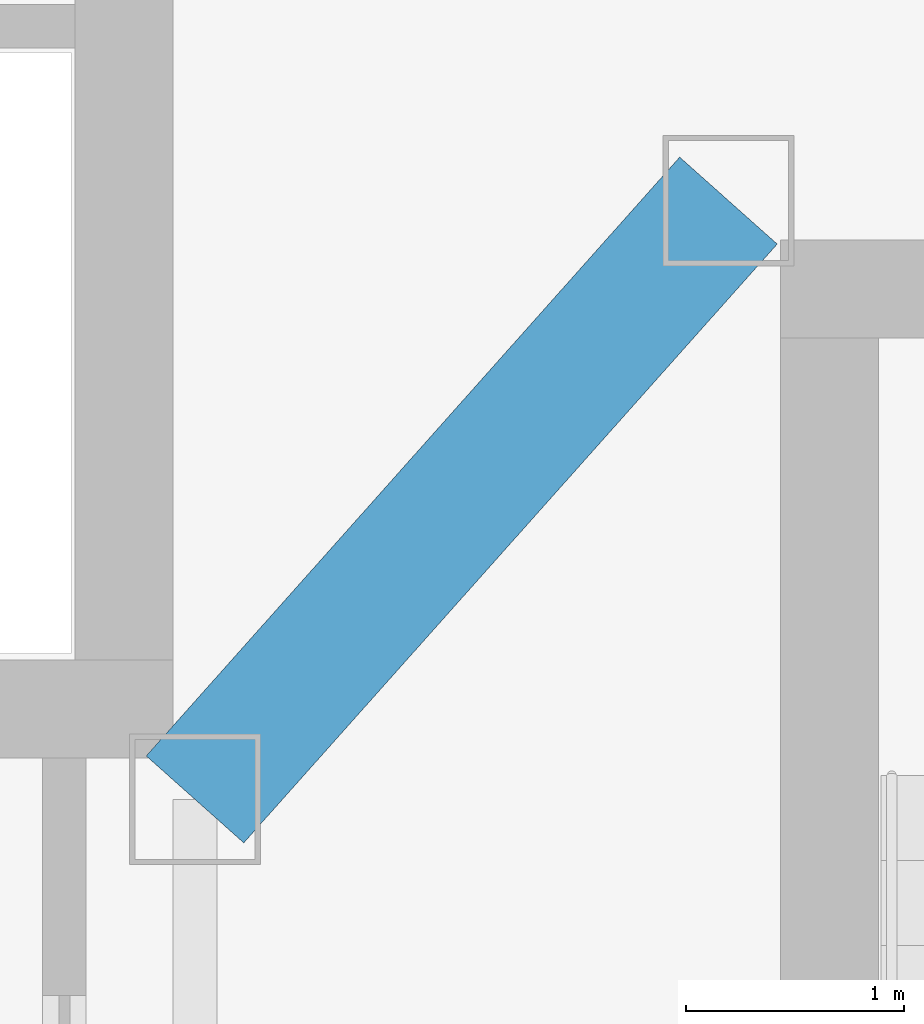
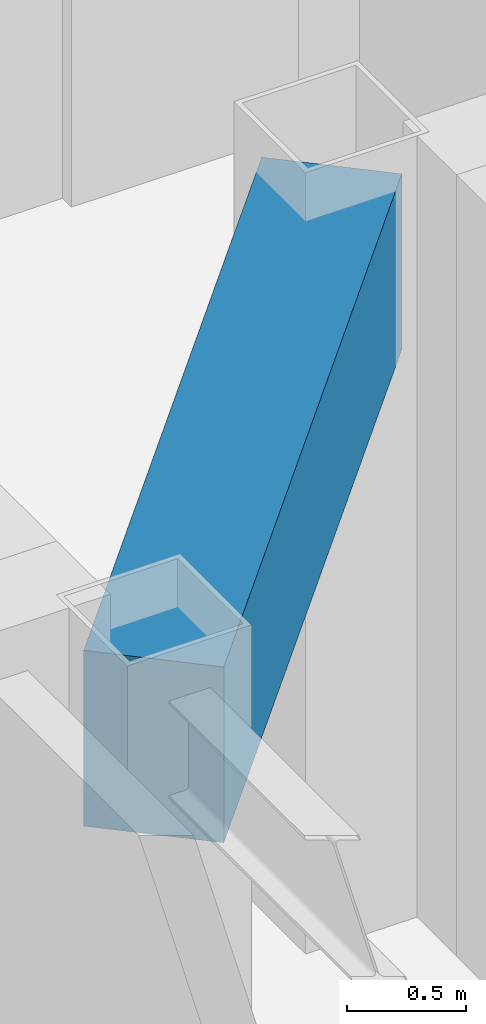
# One storey, part 14 of 30: 1 beam.
"""IFC4 building model written with IfcOpenShell, lengths in metres."""

from ifc_helpers import new_model, si_unit, direction, frame, origin, origin_2d, place, context, subcontext, project, spatial, rectangle, extrude, material, material_profile, profile_set, type_object, element, save


model = new_model("IFC4")

# Units and contexts
model_context = context("Model", 3, precision=1e-05, world=origin(), true_north=direction((0.0, 1.0)))
body_context = subcontext(model_context, "Body", "Model", "MODEL_VIEW")
ifc_project = project(units=[si_unit("LENGTHUNIT", "METRE"), si_unit("AREAUNIT", "SQUARE_METRE"), si_unit("VOLUMEUNIT", "CUBIC_METRE"), si_unit("PLANEANGLEUNIT", "RADIAN"), si_unit("MASSUNIT", "GRAM", prefix="KILO")], contexts=[model_context])

# Site, building, storey
site_placement = place(None, origin())
site = spatial("IfcSite", under=ifc_project, at=site_placement, CompositionType="ELEMENT")
building_placement = place(site_placement, origin())
building = spatial("IfcBuilding", under=site, at=building_placement, Name="Hatsunagi Terrace Concourse", CompositionType="ELEMENT")
storey_placement = place(building_placement, frame((0.0, 0.0, 273.949951171875)))
storey = spatial("IfcBuildingStorey", under=building, at=storey_placement, Name="L72", CompositionType="ELEMENT", Elevation=273.949951171875)

# Beam
ifc_material = material(Name="Concrete Fc42", Category="concrete")
ifc_material_profile = material_profile(ifc_material, rectangle(XDim=0.60009765625, YDim=0.89990234375, at=origin_2d()), Name="RC-600x900")
ifc_profile_set = profile_set([ifc_material_profile], Name="Concrete Fc42")
beam_type = type_object("IfcBeamType", Name="CoreCouplingBeam_RC_600x900", PredefinedType="BEAM", material=ifc_profile_set)
beam_placement = place(storey_placement, frame((33.35009765625, 32.550048828125, 3.300048828125), z_axis=(0.665198651008, 0.746666427997, 0.0), x_axis=(-0.746666427997, 0.665198651008, 0.0)))
element("IfcBeam", 1, at=beam_placement, inside=storey, type_object=beam_type, Name="Beam CB-03 CB-L72-1", PredefinedType="BEAM", context=body_context, shape_type="SweptSolid", body=[
    extrude(rectangle(XDim=0.60009765625, YDim=0.89990234375, at=origin_2d()), origin(), (0.0, 0.0, 1.0), 3.68310546875),
])

save(model, "model.ifc")
